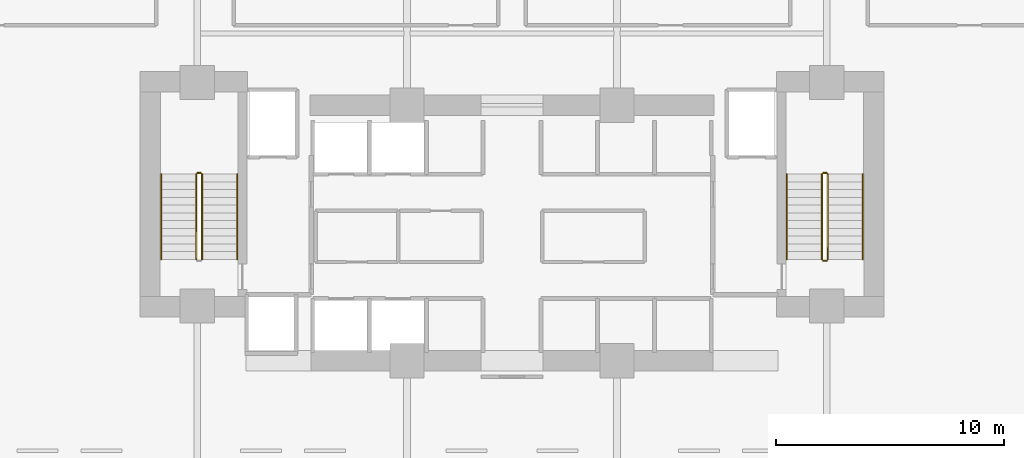
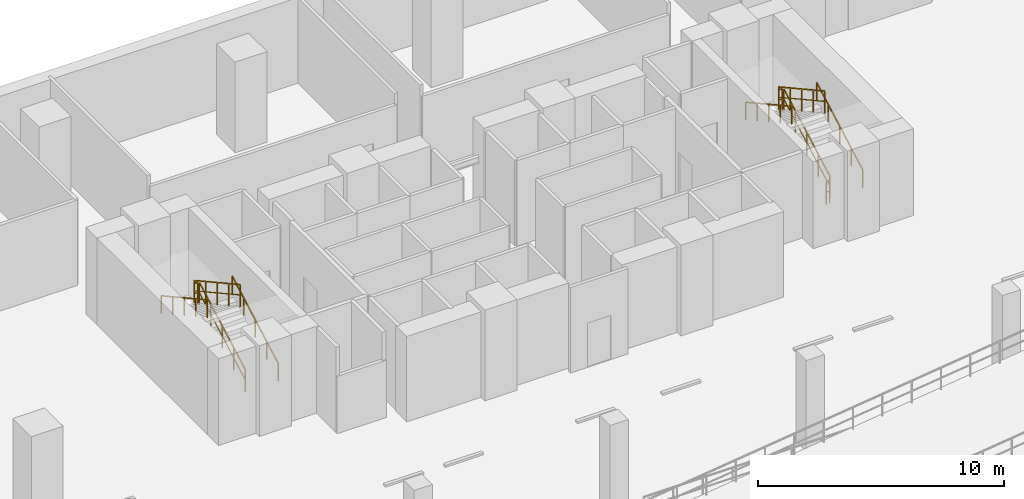
# One storey, part 11 of 13: 11 railings.
"""IFC4 building model written with IfcOpenShell, lengths in metres."""

import ifcopenshell
import ifcopenshell.guid

model = None  # the IFC model being written
_history = None  # IfcOwnerHistory: only IFC2X3 demands one
_inside = {}  # id of a spatial element -> (the spatial element, [elements in it])
_under = {}  # id of a project, library or spatial element -> (it, [spatial elements below it])
_declared = {}  # id of a project -> (the project, [libraries it declares])
_typed = {}  # id of a type object -> (the type object, [elements of that type])
_made_of = {}  # id of a material, layer set ... -> (it, [elements and type objects made of it])


def new_model(schema):
    """Start an empty IFC model of exactly this schema.

    Asked for "IFC4X3", IfcOpenShell would pick the latest addendum, in which some entities
    have other attributes; the version numbers below select the first issue.
    IFC2X3 requires an IfcOwnerHistory on every rooted entity: one is made here for all.
    """
    global model, _history
    if schema == "IFC4X3":
        model = ifcopenshell.file(schema_version=(4, 3, 0, 0))
    else:
        model = ifcopenshell.file(schema=schema)
    _inside.clear()
    _under.clear()
    _declared.clear()
    _typed.clear()
    _made_of.clear()
    _history = None
    if model.schema == "IFC2X3":
        org = make("IfcOrganization", Name="unknown")
        user = make(
            "IfcPersonAndOrganization",
            ThePerson=make("IfcPerson", FamilyName="unknown"),
            TheOrganization=org,
        )
        app = make(
            "IfcApplication",
            ApplicationDeveloper=org,
            Version="unknown",
            ApplicationFullName="unknown",
            ApplicationIdentifier="unknown",
        )
        _history = make(
            "IfcOwnerHistory",
            OwningUser=user,
            OwningApplication=app,
            ChangeAction="ADDED",
            CreationDate=0,
        )
    return model


def make(cls, **values):
    """One entity of the class cls with the attributes given. An attribute that is None is left unset."""
    return model.create_entity(
        cls, **{name: value for name, value in values.items() if value is not None}
    )


def rooted(cls, **values):
    """An entity with a GlobalId (a new one), such as an element, a storey or a relation."""
    return make(cls, GlobalId=ifcopenshell.guid.new(), OwnerHistory=_history, **values)


def si_unit(unit_type, name, prefix=None):
    """IfcSIUnit, for example si_unit("LENGTHUNIT", "METRE", prefix="MILLI")."""
    return make("IfcSIUnit", UnitType=unit_type, Prefix=prefix, Name=name)


def assignment(units):
    """IfcUnitAssignment: the units of a project."""
    return None if units is None else make("IfcUnitAssignment", Units=units)


def point(xyz):
    """IfcCartesianPoint."""
    return None if xyz is None else make("IfcCartesianPoint", Coordinates=xyz)


def direction(xyz):
    """IfcDirection."""
    return None if xyz is None else make("IfcDirection", DirectionRatios=xyz)


def frame(location, z_axis=None, x_axis=None):
    """IfcAxis2Placement3D, a coordinate frame: its origin and axes. An axis left out is left unset."""
    return make(
        "IfcAxis2Placement3D",
        Location=point(location),
        Axis=direction(z_axis),
        RefDirection=direction(x_axis),
    )


def frame_2d(location, x_axis=None):
    """IfcAxis2Placement2D, a coordinate frame in the plane: its origin and x axis."""
    return make(
        "IfcAxis2Placement2D", Location=point(location), RefDirection=direction(x_axis)
    )


def origin():
    """The frame at (0, 0, 0) with its axes left unset."""
    return frame((0.0, 0.0, 0.0))


def origin_2d():
    """The frame at (0, 0) in the plane with its x axis left unset."""
    return frame_2d((0.0, 0.0))


def place(relative_to, where):
    """IfcLocalPlacement: puts the frame where relative to a parent placement (None: the world)."""
    return make(
        "IfcLocalPlacement", PlacementRelTo=relative_to, RelativePlacement=where
    )


def context(
    kind, dimensions, precision=None, world=None, true_north=None, identifier=None
):
    """IfcGeometricRepresentationContext, for example the 3D "Model" context."""
    return make(
        "IfcGeometricRepresentationContext",
        ContextIdentifier=identifier,
        ContextType=kind,
        CoordinateSpaceDimension=dimensions,
        Precision=precision,
        WorldCoordinateSystem=world,
        TrueNorth=true_north,
    )


def subcontext(parent, identifier, kind, view, scale=None):
    """IfcGeometricRepresentationSubContext, for example "Body" below "Model"."""
    return make(
        "IfcGeometricRepresentationSubContext",
        ContextIdentifier=identifier,
        ContextType=kind,
        ParentContext=parent,
        TargetScale=scale,
        TargetView=view,
    )


def project(units=None, contexts=None):
    """IfcProject with its units and contexts."""
    return rooted(
        "IfcProject",
        Name="project",
        RepresentationContexts=contexts,
        UnitsInContext=assignment(units),
    )


def spatial(cls, under=None, at=None, **own):
    """A site, building, storey or space (cls), placed at a placement, below another one or the project."""
    s = rooted(cls, ObjectPlacement=at, **own)
    if under is not None:
        _under.setdefault(under.id(), (under, []))[1].append(s)
    return s


def profile(cls, at=None, kind="AREA", **sizes):
    """A parametric profile (cls). Its sizes go by their IFC names, for example OverallWidth=200.0."""
    return make(cls, ProfileType=kind, Position=at, **sizes)


def rectangle(**sizes):
    """IfcRectangleProfileDef."""
    return profile("IfcRectangleProfileDef", **sizes)


def extrude(swept, where, along, depth):
    """IfcExtrudedAreaSolid: the profile swept, set in the frame where, extruded along a direction by depth."""
    return make(
        "IfcExtrudedAreaSolid",
        SweptArea=swept,
        Position=where,
        ExtrudedDirection=direction(along),
        Depth=depth,
    )


def shape(context_of_items, identifier, shape_type, items):
    """IfcShapeRepresentation: the items that make up one representation, for example the "Body"."""
    return make(
        "IfcShapeRepresentation",
        ContextOfItems=context_of_items,
        RepresentationIdentifier=identifier,
        RepresentationType=shape_type,
        Items=items,
    )


def material(Name=None, Category=None):
    """IfcMaterial."""
    return make("IfcMaterial", Name=Name, Category=Category)


def made_of(thing, what):
    """Note that an element or type object is made of a material, layer set ...; save() writes the relation."""
    if what is not None:
        _made_of.setdefault(what.id(), (what, []))[1].append(thing)
    return thing


def type_object(cls, material=None, **own):
    """A type object (cls), such as IfcWallType, which elements share."""
    return made_of(rooted(cls, **own), material)


def element(
    cls,
    number,
    at=None,
    inside=None,
    cuts=None,
    type_object=None,
    material=None,
    context=None,
    identifier="Body",
    shape_type=None,
    held_by="IfcProductDefinitionShape",
    body=None,
    shapes=None,
    **own,
):
    """One element of the class cls, such as IfcWall. Its Tag is "e" and its number.

    at: its placement. inside: the storey or other place that contains it. cuts: it is an
    opening in that element (IfcRelVoidsElement). A single representation is given by context,
    identifier, shape_type and body (its items); several are given by shapes. held_by: the class
    of the entity that holds the representations. save() writes the other relations.
    """
    e = rooted(cls, Tag="e%d" % number, ObjectPlacement=at, **own)
    if body is not None:
        shapes = [shape(context, identifier, shape_type, body)]
    if shapes is not None:
        e.Representation = make(held_by, Representations=shapes)
    if inside is not None:
        _inside.setdefault(inside.id(), (inside, []))[1].append(e)
    if cuts is not None:
        rooted(
            "IfcRelVoidsElement", RelatingBuildingElement=cuts, RelatedOpeningElement=e
        )
    if type_object is not None:
        _typed.setdefault(type_object.id(), (type_object, []))[1].append(e)
    return made_of(e, material)


def aggregate(whole, parts):
    """IfcRelAggregates: a whole, such as a stair, and the parts it consists of."""
    return rooted("IfcRelAggregates", RelatingObject=whole, RelatedObjects=parts)


def save(model, path):
    """Write the relations noted so far, then the file.

    IfcRelAggregates (storeys below a building ...), IfcRelContainedInSpatialStructure (elements
    in a storey), IfcRelDefinesByType, IfcRelAssociatesMaterial and IfcRelDeclares: one each for
    every whole, place, type object, material and project.
    """
    for whole, parts in _under.values():
        aggregate(whole, parts)
    for where, things in _inside.values():
        rooted(
            "IfcRelContainedInSpatialStructure",
            RelatedElements=things,
            RelatingStructure=where,
        )
    for kind, things in _typed.values():
        rooted("IfcRelDefinesByType", RelatedObjects=things, RelatingType=kind)
    for what, things in _made_of.values():
        rooted("IfcRelAssociatesMaterial", RelatedObjects=things, RelatingMaterial=what)
    for by, libraries in _declared.values():
        rooted("IfcRelDeclares", RelatingContext=by, RelatedDefinitions=libraries)
    model.write(path)


model = new_model("IFC4")

# Units and contexts
model_context = context("Model", 3, precision=1e-05, world=origin(), true_north=direction((0.0, 1.0)))
body_context = subcontext(model_context, "Body", "Model", "MODEL_VIEW")
ifc_project = project(units=[si_unit("LENGTHUNIT", "METRE"), si_unit("AREAUNIT", "SQUARE_METRE"), si_unit("VOLUMEUNIT", "CUBIC_METRE"), si_unit("PLANEANGLEUNIT", "RADIAN"), si_unit("MASSUNIT", "GRAM", prefix="KILO")], contexts=[model_context])

# Site, building, storey
site_placement = place(None, origin())
site = spatial("IfcSite", under=ifc_project, at=site_placement, CompositionType="ELEMENT")
building_placement = place(site_placement, origin())
building = spatial("IfcBuilding", under=site, at=building_placement, Name="Zuhayl Quay Hotel", CompositionType="ELEMENT")
storey_placement = place(building_placement, frame((0.0, 0.0, -4.5)))
storey = spatial("IfcBuildingStorey", under=building, at=storey_placement, Name="B1", CompositionType="ELEMENT", Elevation=-4.5)

# Railings
ifc_material = material(Name="Steel ASTM A992 Grade 50", Category="steel")
railing_type_1 = type_object("IfcRailingType", Name="RL_GUARD_1100", PredefinedType="GUARDRAIL", material=ifc_material)
railing_1_placement = place(storey_placement, frame((-13.590087890625, 6.590087890625, 0.1875)))
element("IfcRailing", 1, at=railing_1_placement, inside=storey, type_object=railing_type_1, Name="B1 ST1 stair guard 1", PredefinedType="GUARDRAIL", context=body_context, shape_type="SweptSolid", body=[
    extrude(rectangle(XDim=0.048095703125, YDim=0.048095703125, at=origin_2d()), frame((0.0, 0.0, 1.09619140625), z_axis=(0.0, 0.875671045107, 0.482908087281), x_axis=(-1.0, 0.0, 0.0)), (0.0, 0.0, 1.0), 4.27099609375),
    extrude(rectangle(XDim=0.0361328125, YDim=0.0361328125, at=origin_2d()), frame((0.0, 0.0, 0.58251953125), z_axis=(0.0, 0.875671045107, 0.482908087281), x_axis=(-1.0, 0.0, 0.0)), (0.0, 0.0, 1.0), 4.27099609375),
    extrude(rectangle(XDim=0.0419921875, YDim=0.0419921875, at=origin_2d()), origin(), (0.0, 0.0, 1.0), 1.072021484375),
    extrude(rectangle(XDim=0.0419921875, YDim=0.0419921875, at=origin_2d()), frame((0.0, 0.93505859375, 0.515625)), (0.0, 0.0, 1.0), 1.072021484375),
    extrude(rectangle(XDim=0.0419921875, YDim=0.0419921875, at=origin_2d()), frame((0.0, 1.8701171875, 1.03125)), (0.0, 0.0, 1.0), 1.072021484375),
    extrude(rectangle(XDim=0.0419921875, YDim=0.0419921875, at=origin_2d()), frame((0.0, 2.804931640625, 1.546875)), (0.0, 0.0, 1.0), 1.072021484375),
    extrude(rectangle(XDim=0.0419921875, YDim=0.0419921875, at=origin_2d()), frame((0.0, 3.739990234375, 2.0625)), (0.0, 0.0, 1.0), 1.072021484375),
])
railing_2_placement = place(storey_placement, frame((-13.639892578125, 10.3798828125, 2.25)))
element("IfcRailing", 2, at=railing_2_placement, inside=storey, type_object=railing_type_1, Name="B1 ST1 stair guard 2", PredefinedType="GUARDRAIL", context=body_context, shape_type="SweptSolid", body=[
    extrude(rectangle(XDim=0.048095703125, YDim=0.048095703125, at=origin_2d()), frame((0.0, 0.0, 1.09619140625), z_axis=(-1.0, 0.0, 0.0), x_axis=(0.0, -1.0, 0.0)), (0.0, 0.0, 1.0), 0.150146484375),
    extrude(rectangle(XDim=0.0361328125, YDim=0.0361328125, at=origin_2d()), frame((0.0, 0.0, 0.58251953125), z_axis=(-1.0, 0.0, 0.0), x_axis=(0.0, -1.0, 0.0)), (0.0, 0.0, 1.0), 0.150146484375),
    extrude(rectangle(XDim=0.0419921875, YDim=0.0419921875, at=origin_2d()), origin(), (0.0, 0.0, 1.0), 1.072021484375),
    extrude(rectangle(XDim=0.0419921875, YDim=0.0419921875, at=origin_2d()), frame((-0.150146484375, 0.0, 0.0)), (0.0, 0.0, 1.0), 1.072021484375),
])
railing_3_placement = place(storey_placement, frame((-13.840087890625, 10.330078125, 2.4375)))
element("IfcRailing", 3, at=railing_3_placement, inside=storey, type_object=railing_type_1, Name="B1 ST1 stair guard 3", PredefinedType="GUARDRAIL", context=body_context, shape_type="SweptSolid", body=[
    extrude(rectangle(XDim=0.048095703125, YDim=0.048095703125, at=origin_2d()), frame((0.0, 0.0, 1.09619140625), z_axis=(0.0, -0.875671045107, 0.482908087281), x_axis=(1.0, 0.0, 0.0)), (0.0, 0.0, 1.0), 4.27099609375),
    extrude(rectangle(XDim=0.0361328125, YDim=0.0361328125, at=origin_2d()), frame((0.0, 0.0, 0.58251953125), z_axis=(0.0, -0.875671045107, 0.482908087281), x_axis=(1.0, 0.0, 0.0)), (0.0, 0.0, 1.0), 4.27099609375),
    extrude(rectangle(XDim=0.0419921875, YDim=0.0419921875, at=origin_2d()), origin(), (0.0, 0.0, 1.0), 1.072021484375),
    extrude(rectangle(XDim=0.0419921875, YDim=0.0419921875, at=origin_2d()), frame((0.0, -0.93505859375, 0.515625)), (0.0, 0.0, 1.0), 1.072021484375),
    extrude(rectangle(XDim=0.0419921875, YDim=0.0419921875, at=origin_2d()), frame((0.0, -1.8701171875, 1.03125)), (0.0, 0.0, 1.0), 1.072021484375),
    extrude(rectangle(XDim=0.0419921875, YDim=0.0419921875, at=origin_2d()), frame((0.0, -2.804931640625, 1.546875)), (0.0, 0.0, 1.0), 1.072021484375),
    extrude(rectangle(XDim=0.0419921875, YDim=0.0419921875, at=origin_2d()), frame((0.0, -3.739990234375, 2.0625)), (0.0, 0.0, 1.0), 1.072021484375),
])
railing_4_placement = place(storey_placement, frame((13.840087890625, 6.590087890625, 0.1875)))
element("IfcRailing", 4, at=railing_4_placement, inside=storey, type_object=railing_type_1, Name="B1 ST2 stair guard 1", PredefinedType="GUARDRAIL", context=body_context, shape_type="SweptSolid", body=[
    extrude(rectangle(XDim=0.048095703125, YDim=0.048095703125, at=origin_2d()), frame((0.0, 0.0, 1.09619140625), z_axis=(0.0, 0.875671045107, 0.482908087281), x_axis=(-1.0, 0.0, 0.0)), (0.0, 0.0, 1.0), 4.27099609375),
    extrude(rectangle(XDim=0.0361328125, YDim=0.0361328125, at=origin_2d()), frame((0.0, 0.0, 0.58251953125), z_axis=(0.0, 0.875671045107, 0.482908087281), x_axis=(-1.0, 0.0, 0.0)), (0.0, 0.0, 1.0), 4.27099609375),
    extrude(rectangle(XDim=0.0419921875, YDim=0.0419921875, at=origin_2d()), origin(), (0.0, 0.0, 1.0), 1.072021484375),
    extrude(rectangle(XDim=0.0419921875, YDim=0.0419921875, at=origin_2d()), frame((0.0, 0.93505859375, 0.515625)), (0.0, 0.0, 1.0), 1.072021484375),
    extrude(rectangle(XDim=0.0419921875, YDim=0.0419921875, at=origin_2d()), frame((0.0, 1.8701171875, 1.03125)), (0.0, 0.0, 1.0), 1.072021484375),
    extrude(rectangle(XDim=0.0419921875, YDim=0.0419921875, at=origin_2d()), frame((0.0, 2.804931640625, 1.546875)), (0.0, 0.0, 1.0), 1.072021484375),
    extrude(rectangle(XDim=0.0419921875, YDim=0.0419921875, at=origin_2d()), frame((0.0, 3.739990234375, 2.0625)), (0.0, 0.0, 1.0), 1.072021484375),
])
railing_5_placement = place(storey_placement, frame((13.7900390625, 10.3798828125, 2.25)))
element("IfcRailing", 5, at=railing_5_placement, inside=storey, type_object=railing_type_1, Name="B1 ST2 stair guard 2", PredefinedType="GUARDRAIL", context=body_context, shape_type="SweptSolid", body=[
    extrude(rectangle(XDim=0.048095703125, YDim=0.048095703125, at=origin_2d()), frame((0.0, 0.0, 1.09619140625), z_axis=(-1.0, 0.0, 0.0), x_axis=(0.0, -1.0, 0.0)), (0.0, 0.0, 1.0), 0.150146484375),
    extrude(rectangle(XDim=0.0361328125, YDim=0.0361328125, at=origin_2d()), frame((0.0, 0.0, 0.58251953125), z_axis=(-1.0, 0.0, 0.0), x_axis=(0.0, -1.0, 0.0)), (0.0, 0.0, 1.0), 0.150146484375),
    extrude(rectangle(XDim=0.0419921875, YDim=0.0419921875, at=origin_2d()), origin(), (0.0, 0.0, 1.0), 1.072021484375),
    extrude(rectangle(XDim=0.0419921875, YDim=0.0419921875, at=origin_2d()), frame((-0.150146484375, 0.0, 0.0)), (0.0, 0.0, 1.0), 1.072021484375),
])
railing_6_placement = place(storey_placement, frame((13.590087890625, 10.330078125, 2.4375)))
element("IfcRailing", 6, at=railing_6_placement, inside=storey, type_object=railing_type_1, Name="B1 ST2 stair guard 3", PredefinedType="GUARDRAIL", context=body_context, shape_type="SweptSolid", body=[
    extrude(rectangle(XDim=0.048095703125, YDim=0.048095703125, at=origin_2d()), frame((0.0, 0.0, 1.09619140625), z_axis=(0.0, -0.875671045107, 0.482908087281), x_axis=(1.0, 0.0, 0.0)), (0.0, 0.0, 1.0), 4.27099609375),
    extrude(rectangle(XDim=0.0361328125, YDim=0.0361328125, at=origin_2d()), frame((0.0, 0.0, 0.58251953125), z_axis=(0.0, -0.875671045107, 0.482908087281), x_axis=(1.0, 0.0, 0.0)), (0.0, 0.0, 1.0), 4.27099609375),
    extrude(rectangle(XDim=0.0419921875, YDim=0.0419921875, at=origin_2d()), origin(), (0.0, 0.0, 1.0), 1.072021484375),
    extrude(rectangle(XDim=0.0419921875, YDim=0.0419921875, at=origin_2d()), frame((0.0, -0.93505859375, 0.515625)), (0.0, 0.0, 1.0), 1.072021484375),
    extrude(rectangle(XDim=0.0419921875, YDim=0.0419921875, at=origin_2d()), frame((0.0, -1.8701171875, 1.03125)), (0.0, 0.0, 1.0), 1.072021484375),
    extrude(rectangle(XDim=0.0419921875, YDim=0.0419921875, at=origin_2d()), frame((0.0, -2.804931640625, 1.546875)), (0.0, 0.0, 1.0), 1.072021484375),
    extrude(rectangle(XDim=0.0419921875, YDim=0.0419921875, at=origin_2d()), frame((0.0, -3.739990234375, 2.0625)), (0.0, 0.0, 1.0), 1.072021484375),
])
railing_7_placement = place(storey_placement, frame((13.7900390625, 6.5400390625, 0.0)))
element("IfcRailing", 7, at=railing_7_placement, inside=storey, type_object=railing_type_1, Name="B1 ST2 stair guard 4", PredefinedType="GUARDRAIL", context=body_context, shape_type="SweptSolid", body=[
    extrude(rectangle(XDim=0.048095703125, YDim=0.048095703125, at=origin_2d()), frame((0.0, 0.0, 1.09619140625), z_axis=(-1.0, 0.0, 0.0), x_axis=(0.0, -1.0, 0.0)), (0.0, 0.0, 1.0), 0.150146484375),
    extrude(rectangle(XDim=0.0361328125, YDim=0.0361328125, at=origin_2d()), frame((0.0, 0.0, 0.58251953125), z_axis=(-1.0, 0.0, 0.0), x_axis=(0.0, -1.0, 0.0)), (0.0, 0.0, 1.0), 0.150146484375),
    extrude(rectangle(XDim=0.0419921875, YDim=0.0419921875, at=origin_2d()), origin(), (0.0, 0.0, 1.0), 1.072021484375),
    extrude(rectangle(XDim=0.0419921875, YDim=0.0419921875, at=origin_2d()), frame((-0.150146484375, 0.0, 0.0)), (0.0, 0.0, 1.0), 1.072021484375),
])
railing_type_2 = type_object("IfcRailingType", Name="RL_HANDRAIL_920", PredefinedType="HANDRAIL", material=ifc_material)
railing_8_placement = place(storey_placement, frame((-12.050048828125, 6.590087890625, 0.1875)))
element("IfcRailing", 8, at=railing_8_placement, inside=storey, type_object=railing_type_2, Name="B1 ST1 stair handrail 1", PredefinedType="HANDRAIL", context=body_context, shape_type="SweptSolid", body=[
    extrude(rectangle(XDim=0.048095703125, YDim=0.048095703125, at=origin_2d()), frame((0.0, 0.0, 0.8759765625), z_axis=(0.0, 0.875671045107, 0.482908087281), x_axis=(-1.0, 0.0, 0.0)), (0.0, 0.0, 1.0), 4.27099609375),
    extrude(rectangle(XDim=0.0419921875, YDim=0.0419921875, at=origin_2d()), origin(), (0.0, 0.0, 1.0), 0.851806640625),
    extrude(rectangle(XDim=0.0419921875, YDim=0.0419921875, at=origin_2d()), frame((0.0, 0.93505859375, 0.515625)), (0.0, 0.0, 1.0), 0.851806640625),
    extrude(rectangle(XDim=0.0419921875, YDim=0.0419921875, at=origin_2d()), frame((0.0, 1.8701171875, 1.03125)), (0.0, 0.0, 1.0), 0.851806640625),
    extrude(rectangle(XDim=0.0419921875, YDim=0.0419921875, at=origin_2d()), frame((0.0, 2.804931640625, 1.546875)), (0.0, 0.0, 1.0), 0.851806640625),
    extrude(rectangle(XDim=0.0419921875, YDim=0.0419921875, at=origin_2d()), frame((0.0, 3.739990234375, 2.0625)), (0.0, 0.0, 1.0), 0.851806640625),
])
railing_9_placement = place(storey_placement, frame((-15.3798828125, 10.330078125, 2.4375)))
element("IfcRailing", 9, at=railing_9_placement, inside=storey, type_object=railing_type_2, Name="B1 ST1 stair handrail 2", PredefinedType="HANDRAIL", context=body_context, shape_type="SweptSolid", body=[
    extrude(rectangle(XDim=0.048095703125, YDim=0.048095703125, at=origin_2d()), frame((0.0, 0.0, 0.8759765625), z_axis=(0.0, -0.875671045107, 0.482908087281), x_axis=(1.0, 0.0, 0.0)), (0.0, 0.0, 1.0), 4.27099609375),
    extrude(rectangle(XDim=0.0419921875, YDim=0.0419921875, at=origin_2d()), origin(), (0.0, 0.0, 1.0), 0.851806640625),
    extrude(rectangle(XDim=0.0419921875, YDim=0.0419921875, at=origin_2d()), frame((0.0, -0.93505859375, 0.515625)), (0.0, 0.0, 1.0), 0.851806640625),
    extrude(rectangle(XDim=0.0419921875, YDim=0.0419921875, at=origin_2d()), frame((0.0, -1.8701171875, 1.03125)), (0.0, 0.0, 1.0), 0.851806640625),
    extrude(rectangle(XDim=0.0419921875, YDim=0.0419921875, at=origin_2d()), frame((0.0, -2.804931640625, 1.546875)), (0.0, 0.0, 1.0), 0.851806640625),
    extrude(rectangle(XDim=0.0419921875, YDim=0.0419921875, at=origin_2d()), frame((0.0, -3.739990234375, 2.0625)), (0.0, 0.0, 1.0), 0.851806640625),
])
railing_10_placement = place(storey_placement, frame((15.3798828125, 6.590087890625, 0.1875)))
element("IfcRailing", 10, at=railing_10_placement, inside=storey, type_object=railing_type_2, Name="B1 ST2 stair handrail 1", PredefinedType="HANDRAIL", context=body_context, shape_type="SweptSolid", body=[
    extrude(rectangle(XDim=0.048095703125, YDim=0.048095703125, at=origin_2d()), frame((0.0, 0.0, 0.8759765625), z_axis=(0.0, 0.875671045107, 0.482908087281), x_axis=(-1.0, 0.0, 0.0)), (0.0, 0.0, 1.0), 4.27099609375),
    extrude(rectangle(XDim=0.0419921875, YDim=0.0419921875, at=origin_2d()), origin(), (0.0, 0.0, 1.0), 0.851806640625),
    extrude(rectangle(XDim=0.0419921875, YDim=0.0419921875, at=origin_2d()), frame((0.0, 0.93505859375, 0.515625)), (0.0, 0.0, 1.0), 0.851806640625),
    extrude(rectangle(XDim=0.0419921875, YDim=0.0419921875, at=origin_2d()), frame((0.0, 1.8701171875, 1.03125)), (0.0, 0.0, 1.0), 0.851806640625),
    extrude(rectangle(XDim=0.0419921875, YDim=0.0419921875, at=origin_2d()), frame((0.0, 2.804931640625, 1.546875)), (0.0, 0.0, 1.0), 0.851806640625),
    extrude(rectangle(XDim=0.0419921875, YDim=0.0419921875, at=origin_2d()), frame((0.0, 3.739990234375, 2.0625)), (0.0, 0.0, 1.0), 0.851806640625),
])
railing_11_placement = place(storey_placement, frame((12.050048828125, 10.330078125, 2.4375)))
element("IfcRailing", 11, at=railing_11_placement, inside=storey, type_object=railing_type_2, Name="B1 ST2 stair handrail 2", PredefinedType="HANDRAIL", context=body_context, shape_type="SweptSolid", body=[
    extrude(rectangle(XDim=0.048095703125, YDim=0.048095703125, at=origin_2d()), frame((0.0, 0.0, 0.8759765625), z_axis=(0.0, -0.875671045107, 0.482908087281), x_axis=(1.0, 0.0, 0.0)), (0.0, 0.0, 1.0), 4.27099609375),
    extrude(rectangle(XDim=0.0419921875, YDim=0.0419921875, at=origin_2d()), origin(), (0.0, 0.0, 1.0), 0.851806640625),
    extrude(rectangle(XDim=0.0419921875, YDim=0.0419921875, at=origin_2d()), frame((0.0, -0.93505859375, 0.515625)), (0.0, 0.0, 1.0), 0.851806640625),
    extrude(rectangle(XDim=0.0419921875, YDim=0.0419921875, at=origin_2d()), frame((0.0, -1.8701171875, 1.03125)), (0.0, 0.0, 1.0), 0.851806640625),
    extrude(rectangle(XDim=0.0419921875, YDim=0.0419921875, at=origin_2d()), frame((0.0, -2.804931640625, 1.546875)), (0.0, 0.0, 1.0), 0.851806640625),
    extrude(rectangle(XDim=0.0419921875, YDim=0.0419921875, at=origin_2d()), frame((0.0, -3.739990234375, 2.0625)), (0.0, 0.0, 1.0), 0.851806640625),
])

save(model, "model.ifc")
